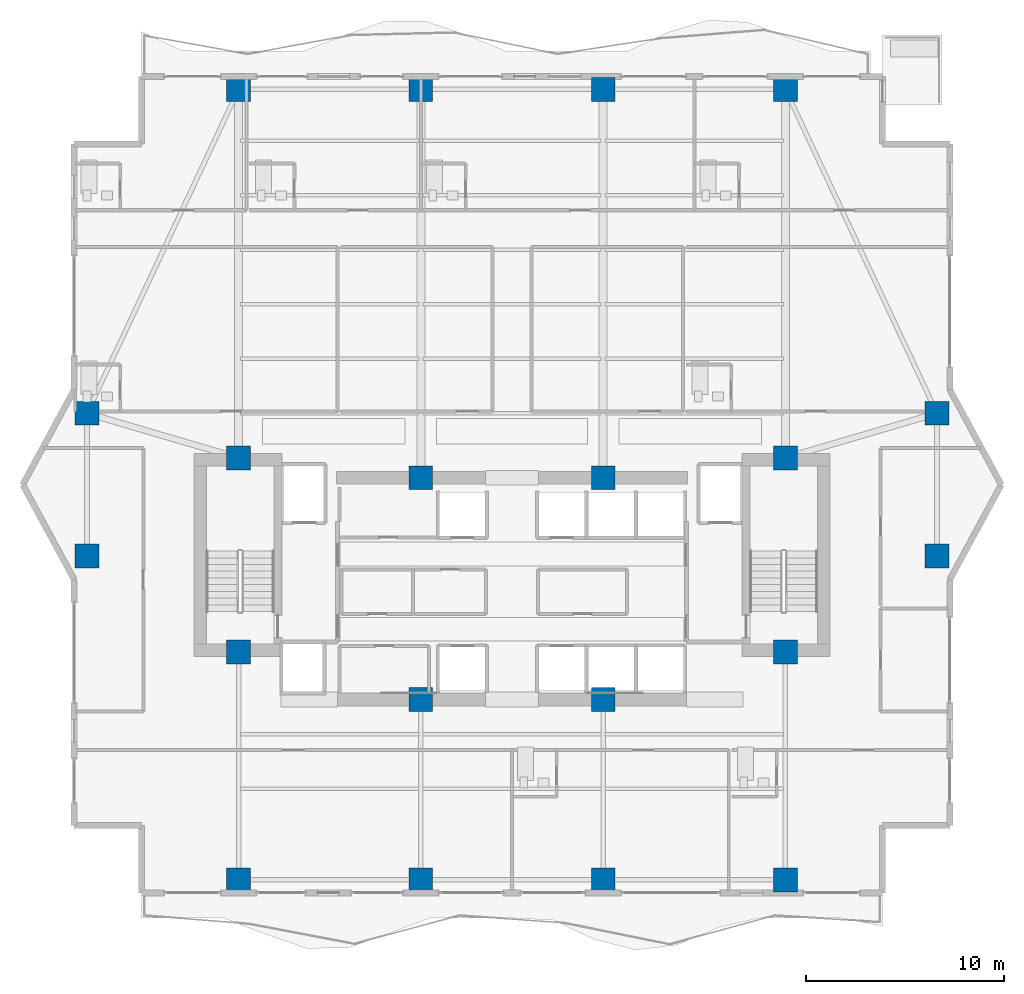
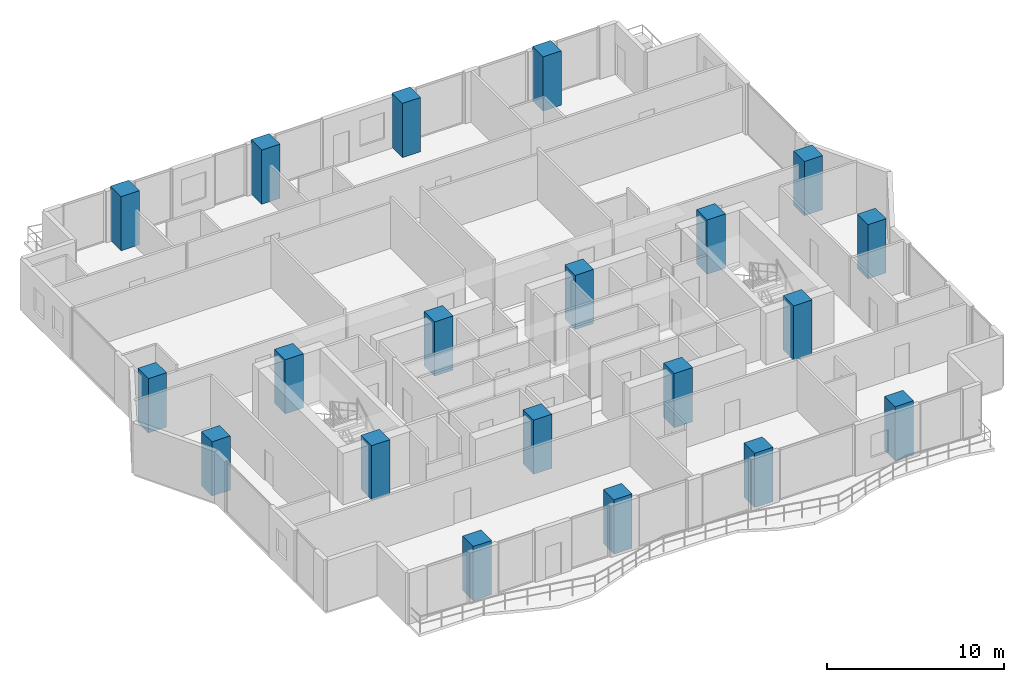
# One storey, part 1 of 32: 20 columns.
"""IFC4 building model written with IfcOpenShell, lengths in metres."""

from ifc_helpers import new_model, si_unit, direction, frame, origin, origin_2d, place, context, subcontext, project, spatial, rectangle, extrude, material, material_profile, profile_set, type_object, element, save


model = new_model("IFC4")

# Units and contexts
model_context = context("Model", 3, precision=1e-05, world=origin(), true_north=direction((0.0, 1.0)))
body_context = subcontext(model_context, "Body", "Model", "MODEL_VIEW")
ifc_project = project(units=[si_unit("LENGTHUNIT", "METRE"), si_unit("AREAUNIT", "SQUARE_METRE"), si_unit("VOLUMEUNIT", "CUBIC_METRE"), si_unit("PLANEANGLEUNIT", "RADIAN"), si_unit("MASSUNIT", "GRAM", prefix="KILO")], contexts=[model_context])

# Site, building, storey
site_placement = place(None, origin())
site = spatial("IfcSite", under=ifc_project, at=site_placement, CompositionType="ELEMENT")
building_placement = place(site_placement, origin())
building = spatial("IfcBuilding", under=site, at=building_placement, Name="Zuhayl Quay Hotel", CompositionType="ELEMENT")
storey_placement = place(building_placement, frame((0.0, 0.0, 218.64990234375)))
storey = spatial("IfcBuildingStorey", under=building, at=storey_placement, Name="L55", CompositionType="ELEMENT", Elevation=218.64990234375)

# Columns
ifc_material = material(Name="Concrete C60/75", Category="concrete")
ifc_material_profile_1 = material_profile(ifc_material, rectangle(XDim=1.199951171875, YDim=1.199951171875, at=origin_2d()), Name="RC1200X1200")
ifc_profile_set_1 = profile_set([ifc_material_profile_1], Name="Concrete C60/75")
column_type_1 = type_object("IfcColumnType", Name="CL_CC2_1200", PredefinedType="COLUMN", material=ifc_profile_set_1)
for number, where, z_axis, x_axis, name in (
    (1, (-13.800048828125, 14.35009765625, 0.0), (0.0, 0.0, 1.0), (1.0, 0.0, 0.0), "L55 Core Column CC_NW"),
    (2, (-4.60009765625, 13.35009765625, 0.0), (0.0, 0.0, 1.0), (1.0, 0.0, 0.0), "L55 Core Column CC_CNW"),
    (3, (4.60009765625, 13.35009765625, 0.0), (0.0, 0.0, 1.0), (1.0, 0.0, 0.0), "L55 Core Column CC_CNE"),
    (4, (13.800048828125, 14.35009765625, 0.0), (0.0, 0.0, 1.0), (1.0, 0.0, 0.0), "L55 Core Column CC_NE"),
    (5, (-13.800048828125, 4.550048828125, 0.0), (0.0, 0.0, 1.0), (1.0, 0.0, 0.0), "L55 Core Column CC_SW"),
    (6, (-4.60009765625, 2.14990234375, 0.0), (0.0, 0.0, 1.0), (1.0, 0.0, 0.0), "L55 Core Column CC_CSW"),
    (7, (4.60009765625, 2.14990234375, 0.0), (0.0, 0.0, 1.0), (1.0, 0.0, 0.0), "L55 Core Column CC_CSE"),
    (8, (13.800048828125, 4.550048828125, 0.0), (0.0, 0.0, 1.0), (1.0, 0.0, 0.0), "L55 Core Column CC_SE"),
):
    element("IfcColumn", number, at=place(storey_placement, frame(where, z_axis=z_axis, x_axis=x_axis)), inside=storey, type_object=column_type_1, Name=name, PredefinedType="COLUMN", context=body_context, shape_type="SweptSolid", body=[
        extrude(rectangle(XDim=1.199951171875, YDim=1.199951171875, at=origin_2d()), origin(), (0.0, 0.0, 1.0), 3.75),
    ])
ifc_material_profile_2 = material_profile(ifc_material, rectangle(XDim=1.199951171875, YDim=1.199951171875, at=origin_2d()), Name="RC1200X1200")
ifc_profile_set_2 = profile_set([ifc_material_profile_2], Name="Concrete C60/75")
column_type_2 = type_object("IfcColumnType", Name="CL_MC3_1200", PredefinedType="COLUMN", material=ifc_profile_set_2)
for number, where, z_axis, x_axis, name in (
    (9, (-13.800048828125, -6.949951171875, 0.0), (0.0, 0.0, 1.0), (1.0, 0.0, 0.0), "L55 Mega-Column MC_S1"),
    (10, (-4.60009765625, -6.949951171875, 0.0), (0.0, 0.0, 1.0), (1.0, 0.0, 0.0), "L55 Mega-Column MC_S2"),
    (11, (4.60009765625, -6.949951171875, 0.0), (0.0, 0.0, 1.0), (1.0, 0.0, 0.0), "L55 Mega-Column MC_S3"),
    (12, (13.800048828125, -6.949951171875, 0.0), (0.0, 0.0, 1.0), (1.0, 0.0, 0.0), "L55 Mega-Column MC_S4"),
    (13, (-13.800048828125, 32.949951171875, 0.0), (0.0, 0.0, 1.0), (1.0, 0.0, 0.0), "L55 Mega-Column MC_N1"),
    (14, (-4.60009765625, 32.949951171875, 0.0), (0.0, 0.0, 1.0), (1.0, 0.0, 0.0), "L55 Mega-Column MC_N2"),
    (15, (4.60009765625, 32.949951171875, 0.0), (0.0, 0.0, 1.0), (1.0, 0.0, 0.0), "L55 Mega-Column MC_N3"),
    (16, (13.800048828125, 32.949951171875, 0.0), (0.0, 0.0, 1.0), (1.0, 0.0, 0.0), "L55 Mega-Column MC_N4"),
    (17, (-21.449951171875, 9.39990234375, 0.0), (0.0, 0.0, 1.0), (1.0, 0.0, 0.0), "L55 Mega-Column MC_W1"),
    (18, (-21.449951171875, 16.60009765625, 0.0), (0.0, 0.0, 1.0), (1.0, 0.0, 0.0), "L55 Mega-Column MC_W2"),
    (19, (21.449951171875, 9.39990234375, 0.0), (0.0, 0.0, 1.0), (1.0, 0.0, 0.0), "L55 Mega-Column MC_E1"),
    (20, (21.449951171875, 16.60009765625, 0.0), (0.0, 0.0, 1.0), (1.0, 0.0, 0.0), "L55 Mega-Column MC_E2"),
):
    element("IfcColumn", number, at=place(storey_placement, frame(where, z_axis=z_axis, x_axis=x_axis)), inside=storey, type_object=column_type_2, Name=name, PredefinedType="COLUMN", context=body_context, shape_type="SweptSolid", body=[
        extrude(rectangle(XDim=1.199951171875, YDim=1.199951171875, at=origin_2d()), origin(), (0.0, 0.0, 1.0), 3.75),
    ])

save(model, "model.ifc")
